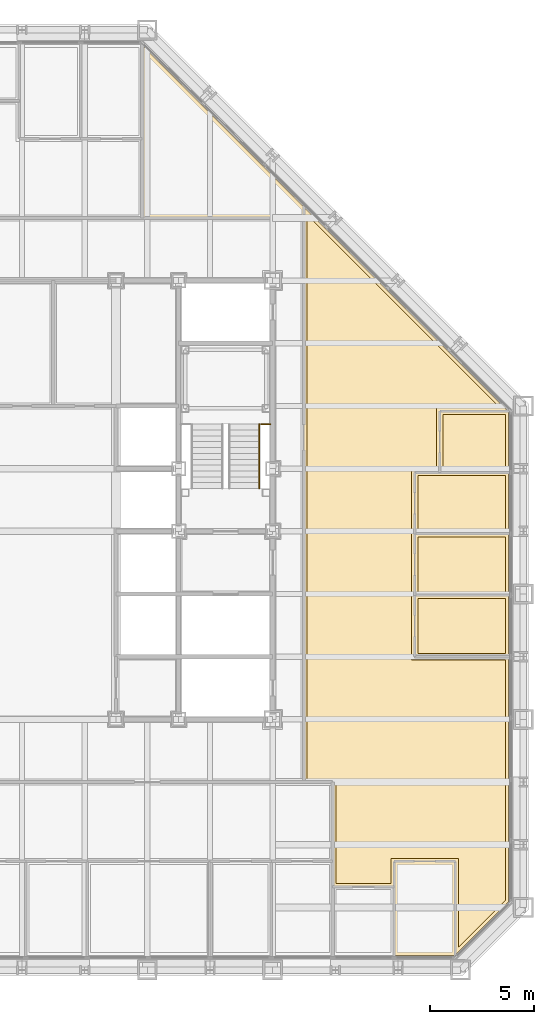
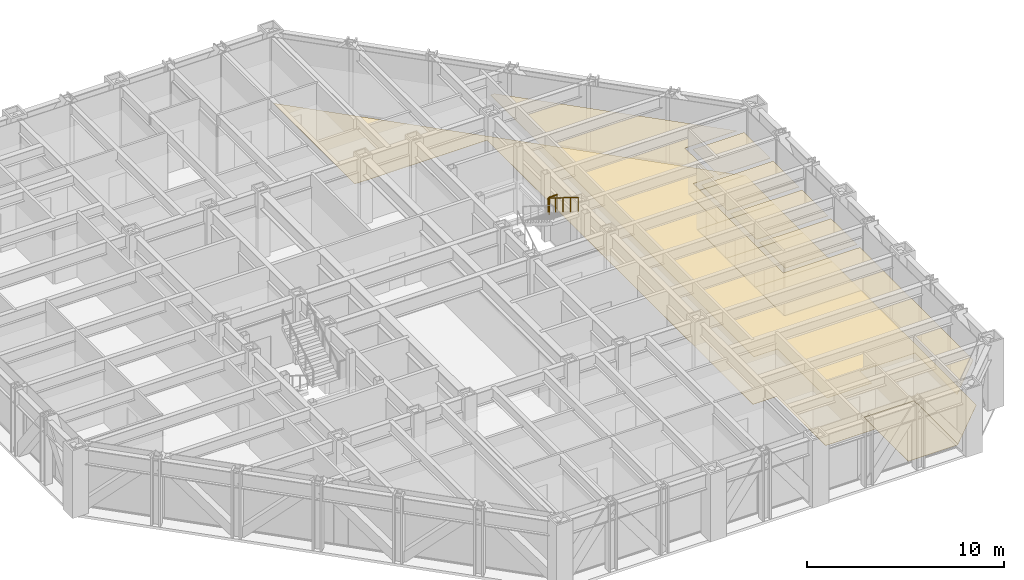
# One storey, part 15 of 16: 11 coverings, 2 railings.
"""IFC4 building model written with IfcOpenShell, lengths in metres."""

from ifc_helpers import new_model, si_unit, direction, frame, origin, origin_2d, place, context, subcontext, project, spatial, polyline, circle, outline, extrude, material, layer, layer_set, type_object, element, save


model = new_model("IFC4")

# Units and contexts
model_context = context("Model", 3, precision=1e-05, world=origin(), true_north=direction((0.0, 1.0)))
body_context = subcontext(model_context, "Body", "Model", "MODEL_VIEW")
ifc_project = project(units=[si_unit("LENGTHUNIT", "METRE"), si_unit("AREAUNIT", "SQUARE_METRE"), si_unit("VOLUMEUNIT", "CUBIC_METRE"), si_unit("PLANEANGLEUNIT", "RADIAN"), si_unit("MASSUNIT", "GRAM", prefix="KILO")], contexts=[model_context])

# Site, building, storey
site_placement = place(None, origin())
site = spatial("IfcSite", under=ifc_project, at=site_placement, CompositionType="ELEMENT")
building_placement = place(site_placement, origin())
building = spatial("IfcBuilding", under=site, at=building_placement, Name="Chuquiago Exchange Tower", CompositionType="ELEMENT")
storey_placement = place(building_placement, frame((0.0, 0.0, 115.199951171875)))
storey = spatial("IfcBuildingStorey", under=building, at=storey_placement, Name="L24", CompositionType="ELEMENT", Elevation=115.199951171875)

# Coverings
ifc_material_1 = material(Name="Mineral fibre tile, 600 x 600, on pale metal grid", Category="mineral fibre")
ifc_layer_1 = layer(ifc_material_1, 0.02001953125)
ifc_layer_set_1 = layer_set([ifc_layer_1], Name="CL1 suspended tile ceiling 20")
covering_type_1 = type_object("IfcCoveringType", Name="CL1 suspended tile ceiling 20", PredefinedType="CEILING", material=ifc_layer_set_1)
covering_1_placement = place(storey_placement, frame((0.0, 0.0, 2.800048828125)))
element("IfcCovering", 1, at=covering_1_placement, inside=storey, type_object=covering_type_1, Name="Ceiling Office", PredefinedType="CEILING", context=body_context, shape_type="SweptSolid", body=[
    extrude(outline(polyline([(39.949951171875, 15.14990234375), (39.949951171875, 17.787841796875), (44.14990234375, 17.787841796875), (44.14990234375, 15.14990234375), (39.949951171875, 15.14990234375)])), origin(), (0.0, 0.0, 1.0), 0.02001953125),
])
covering_2_placement = place(storey_placement, frame((0.0, 0.0, 2.800048828125)))
element("IfcCovering", 2, at=covering_2_placement, inside=storey, type_object=covering_type_1, Name="Ceiling Office", PredefinedType="CEILING", context=body_context, shape_type="SweptSolid", body=[
    extrude(outline(polyline([(39.949951171875, 18.087890625), (39.949951171875, 20.7255859375), (44.14990234375, 20.7255859375), (44.14990234375, 18.087890625), (39.949951171875, 18.087890625)])), origin(), (0.0, 0.0, 1.0), 0.02001953125),
])
covering_3_placement = place(storey_placement, frame((0.0, 0.0, 2.800048828125)))
element("IfcCovering", 3, at=covering_3_placement, inside=storey, type_object=covering_type_1, Name="Ceiling Meeting room", PredefinedType="CEILING", context=body_context, shape_type="SweptSolid", body=[
    extrude(outline(polyline([(39.949951171875, 21.025634765625), (39.949951171875, 23.66357421875), (44.14990234375, 23.66357421875), (44.14990234375, 21.025634765625), (39.949951171875, 21.025634765625)])), origin(), (0.0, 0.0, 1.0), 0.02001953125),
])
covering_4_placement = place(storey_placement, frame((0.0, 0.0, 2.800048828125)))
element("IfcCovering", 4, at=covering_4_placement, inside=storey, type_object=covering_type_1, Name="Ceiling Pantry", PredefinedType="CEILING", context=body_context, shape_type="SweptSolid", body=[
    extrude(outline(polyline([(44.14990234375, 23.963623046875), (41.14990234375, 23.963623046875), (41.14990234375, 26.6015625), (44.14990234375, 26.6015625), (44.14990234375, 23.963623046875)])), origin(), (0.0, 0.0, 1.0), 0.02001953125),
])
covering_5_placement = place(storey_placement, frame((0.0, 0.0, 2.800048828125)))
element("IfcCovering", 5, at=covering_5_placement, inside=storey, type_object=covering_type_1, Name="Ceiling Open office east suite", PredefinedType="CEILING", context=body_context, shape_type="SweptSolid", body=[
    extrude(outline(polyline([(43.896484375, 26.901611328125), (40.85009765625, 26.901611328125), (40.85009765625, 23.963623046875), (39.64990234375, 23.963623046875), (39.64990234375, 14.85009765625), (44.14990234375, 14.85009765625), (44.14990234375, 3.35205078125), (41.901611328125, 1.103515625), (41.901611328125, 5.35009765625), (38.66357421875, 5.35009765625), (38.66357421875, 4.14990234375), (36.026123046875, 4.14990234375), (36.026123046875, 9.150146484375), (34.650390625, 9.150390625), (34.650390625, 35.9150390625), (34.883056640625, 35.9150390625), (43.896484375, 26.901611328125)])), origin(), (0.0, 0.0, 1.0), 0.02001953125),
])
ifc_material_2 = material(Name="Carpet tile, 500 x 500, on the floor slab", Category="textile")
ifc_layer_2 = layer(ifc_material_2, 0.010009765625)
ifc_layer_set_2 = layer_set([ifc_layer_2], Name="FL1 carpet tile 10")
covering_type_2 = type_object("IfcCoveringType", Name="FL1 carpet tile 10", PredefinedType="FLOORING", material=ifc_layer_set_2)
covering_6_placement = place(storey_placement, origin())
element("IfcCovering", 6, at=covering_6_placement, inside=storey, type_object=covering_type_2, Name="Floor finish Office", PredefinedType="FLOORING", context=body_context, shape_type="SweptSolid", body=[
    extrude(outline(polyline([(41.710205078125, 0.699951171875), (38.813720703125, 0.699951171875), (38.813720703125, 5.199951171875), (41.75146484375, 5.199951171875), (41.75146484375, 0.741455078125), (41.710205078125, 0.699951171875)])), origin(), (0.0, 0.0, 1.0), 0.010009765625),
])
covering_7_placement = place(storey_placement, origin())
element("IfcCovering", 7, at=covering_7_placement, inside=storey, type_object=covering_type_2, Name="Floor finish Office", PredefinedType="FLOORING", context=body_context, shape_type="SweptSolid", body=[
    extrude(outline(polyline([(44.300048828125, 15.0), (39.800048828125, 15.0), (39.800048828125, 17.93798828125), (44.300048828125, 17.93798828125), (44.300048828125, 15.0)])), origin(), (0.0, 0.0, 1.0), 0.010009765625),
])
covering_8_placement = place(storey_placement, origin())
element("IfcCovering", 8, at=covering_8_placement, inside=storey, type_object=covering_type_2, Name="Floor finish Office", PredefinedType="FLOORING", context=body_context, shape_type="SweptSolid", body=[
    extrude(outline(polyline([(44.300048828125, 17.93798828125), (39.800048828125, 17.93798828125), (39.800048828125, 20.875732421875), (44.300048828125, 20.875732421875), (44.300048828125, 17.93798828125)])), origin(), (0.0, 0.0, 1.0), 0.010009765625),
])
covering_9_placement = place(storey_placement, origin())
element("IfcCovering", 9, at=covering_9_placement, inside=storey, type_object=covering_type_2, Name="Floor finish Meeting room", PredefinedType="FLOORING", context=body_context, shape_type="SweptSolid", body=[
    extrude(outline(polyline([(44.300048828125, 20.875732421875), (39.800048828125, 20.875732421875), (39.800048828125, 23.813720703125), (44.300048828125, 23.813720703125), (44.300048828125, 20.875732421875)])), origin(), (0.0, 0.0, 1.0), 0.010009765625),
])
covering_10_placement = place(storey_placement, origin())
element("IfcCovering", 10, at=covering_10_placement, inside=storey, type_object=covering_type_2, Name="Floor finish Open office east suite", PredefinedType="FLOORING", context=body_context, shape_type="SweptSolid", body=[
    extrude(outline(polyline([(44.258544921875, 26.75146484375), (41.0, 26.75146484375), (41.0, 23.813720703125), (39.800048828125, 23.813720703125), (39.800048828125, 15.0), (44.300048828125, 15.0), (44.300048828125, 3.289794921875), (41.75146484375, 0.741455078125), (41.75146484375, 5.199951171875), (38.813720703125, 5.199951171875), (38.813720703125, 4.0), (35.876220703125, 4.0), (35.876220703125, 9.0), (34.50048828125, 9.00048828125), (34.50048828125, 36.0), (26.751953125, 36.00048828125), (26.751953125, 44.258056640625), (44.258544921875, 26.75146484375)])), origin(), (0.0, 0.0, 1.0), 0.010009765625),
])
ifc_material_3 = material(Name="Porcelain floor tile, 600 x 600, on adhesive bed", Category="ceramic")
ifc_layer_3 = layer(ifc_material_3, 0.014892578125)
ifc_layer_set_3 = layer_set([ifc_layer_3], Name="FL2 porcelain tile 15")
covering_type_3 = type_object("IfcCoveringType", Name="FL2 porcelain tile 15", PredefinedType="FLOORING", material=ifc_layer_set_3)
covering_11_placement = place(storey_placement, origin())
element("IfcCovering", 11, at=covering_11_placement, inside=storey, type_object=covering_type_3, Name="Floor finish Pantry", PredefinedType="FLOORING", context=body_context, shape_type="SweptSolid", body=[
    extrude(outline(polyline([(44.300048828125, 26.710205078125), (44.300048828125, 23.813720703125), (41.0, 23.813720703125), (41.0, 26.75146484375), (44.258544921875, 26.75146484375), (44.300048828125, 26.710205078125)])), origin(), (0.0, 0.0, 1.0), 0.01513671875),
])

# Railings
ifc_material_4 = material(Name="Pale metal guard with safety glass infill", Category="glass")
railing_type_1 = type_object("IfcRailingType", Name="GR1 guard 1100", PredefinedType="GUARDRAIL", material=ifc_material_4)
railing_1_placement = place(storey_placement, frame((32.445068359375, 26.1298828125, 2.10009765625)))
element("IfcRailing", 12, at=railing_1_placement, inside=storey, type_object=railing_type_1, Name="Guard ST2 L24 landing 2", PredefinedType="GUARDRAIL", context=body_context, shape_type="SweptSolid", body=[
    extrude(circle(Radius=0.02392578125, at=origin_2d()), frame((0.0, 0.0, 1.076171875), z_axis=(1.0, 0.0, 0.0), x_axis=(0.0, 1.0, 0.0)), (0.0, 0.0, 1.0), 0.454833984375),
    extrude(circle(Radius=0.02099609375, at=origin_2d()), origin(), (0.0, 0.0, 1.0), 1.052001953125),
    extrude(circle(Radius=0.02099609375, at=origin_2d()), frame((0.454833984375, 0.0, 0.0)), (0.0, 0.0, 1.0), 1.052001953125),
])
ifc_material_5 = material(Name="Pale metal handrail", Category="steel")
railing_type_2 = type_object("IfcRailingType", Name="HR1 handrail 900", PredefinedType="HANDRAIL", material=ifc_material_5)
railing_2_placement = place(storey_placement, frame((32.364990234375, 26.1298828125, 2.275146484375)))
element("IfcRailing", 13, at=railing_2_placement, inside=storey, type_object=railing_type_2, Name="Handrail ST2 L24 flight 2", PredefinedType="HANDRAIL", context=body_context, shape_type="SweptSolid", body=[
    extrude(circle(Radius=0.02392578125, at=origin_2d()), frame((0.0, 0.0, 0.8759765625), z_axis=(0.0, -0.848009633417, 0.529980812513), x_axis=(1.0, 0.0, 0.0)), (0.0, 0.0, 1.0), 3.6318359375),
    extrude(circle(Radius=0.02099609375, at=origin_2d()), origin(), (0.0, 0.0, 1.0), 0.851806640625),
    extrude(circle(Radius=0.02099609375, at=origin_2d()), frame((0.0, -0.77001953125, 0.481201171875)), (0.0, 0.0, 1.0), 0.851806640625),
    extrude(circle(Radius=0.02099609375, at=origin_2d()), frame((0.0, -1.5400390625, 0.96240234375)), (0.0, 0.0, 1.0), 0.851806640625),
    extrude(circle(Radius=0.02099609375, at=origin_2d()), frame((0.0, -2.309814453125, 1.443603515625)), (0.0, 0.0, 1.0), 0.851806640625),
    extrude(circle(Radius=0.02099609375, at=origin_2d()), frame((0.0, -3.079833984375, 1.9248046875)), (0.0, 0.0, 1.0), 0.851806640625),
])

save(model, "model.ifc")
